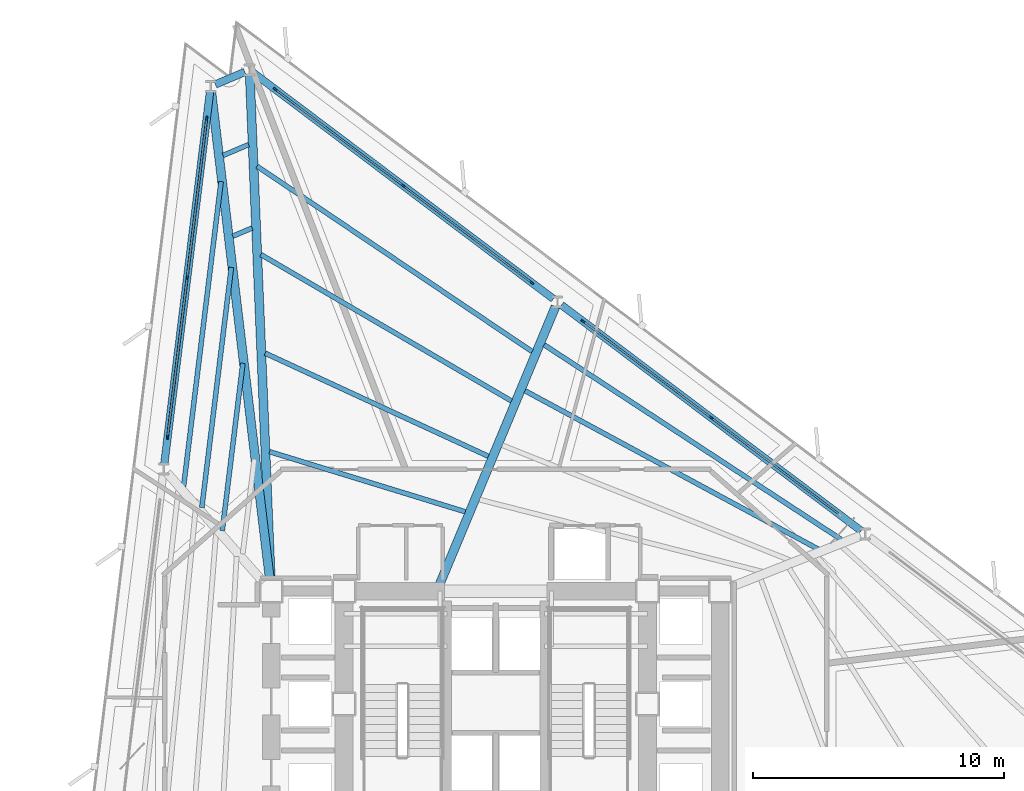
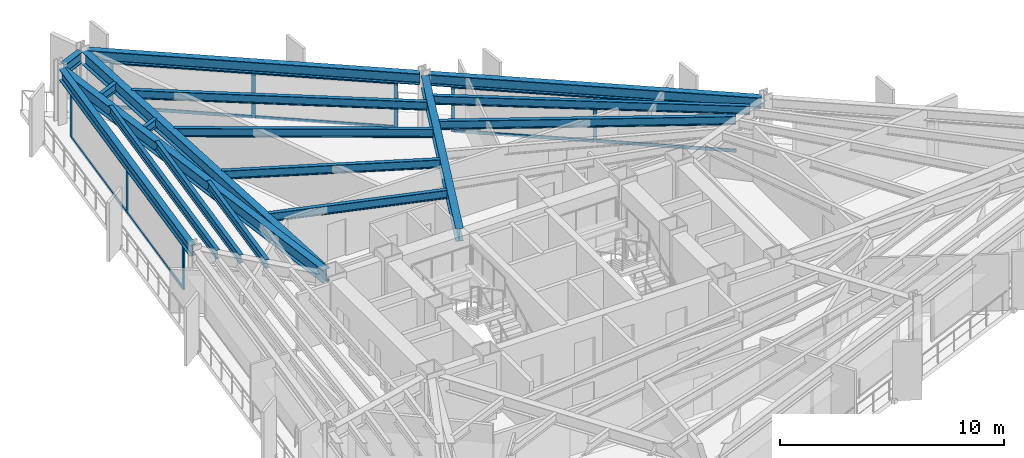
# One storey, part 5 of 13: 20 members, 18 beams, 3 elements without a shape of their own.
"""IFC4 building model written with IfcOpenShell, lengths in metres."""

from ifc_helpers import new_model, si_unit, direction, frame, origin, origin_2d, place, context, subcontext, project, spatial, rectangle, i_section, extrude, material, layer, layer_set, material_profile, profile_set, type_object, element, aggregate, save


model = new_model("IFC4")

# Units and contexts
model_context = context("Model", 3, precision=1e-05, world=origin(), true_north=direction((0.0, 1.0)))
body_context = subcontext(model_context, "Body", "Model", "MODEL_VIEW")
ifc_project = project(units=[si_unit("LENGTHUNIT", "METRE"), si_unit("AREAUNIT", "SQUARE_METRE"), si_unit("VOLUMEUNIT", "CUBIC_METRE"), si_unit("PLANEANGLEUNIT", "RADIAN"), si_unit("MASSUNIT", "GRAM", prefix="KILO")], contexts=[model_context])

# Site, building, storey
site_placement = place(None, origin())
site = spatial("IfcSite", under=ifc_project, at=site_placement, CompositionType="ELEMENT")
building_placement = place(site_placement, origin())
building = spatial("IfcBuilding", under=site, at=building_placement, Name="Rocaltana Carrier Exchange", CompositionType="ELEMENT")
storey_placement = place(building_placement, frame((0.0, 0.0, 59.679931640625)))
storey = spatial("IfcBuildingStorey", under=building, at=storey_placement, Name="L18", CompositionType="ELEMENT", Elevation=59.679931640625)

# Curtain wall, members
ifc_material_1 = material(Name="Aluminium 6063-T6", Category="aluminium")
ifc_layer = layer(ifc_material_1, 0.1650390625)
ifc_layer_set = layer_set([ifc_layer], Name="Aluminium 6063-T6")
curtain_wall_type = type_object("IfcCurtainWallType", Name="Lower-Mid Stepped Curtain Wall CW-02", PredefinedType="NOTDEFINED", material=ifc_layer_set)
curtain_wall_1_placement = place(storey_placement, origin())
curtain_wall_1 = element("IfcCurtainWall", 1, at=curtain_wall_1_placement, inside=storey, type_object=curtain_wall_type, Name="L18 CW-02 Run CW-L18-F1S2", PredefinedType="NOTDEFINED")
ifc_material_2 = material(Name="Aluminium 6063-T6", Category="aluminium")
ifc_material_profile_1 = material_profile(ifc_material_2, rectangle(XDim=0.06494140625, YDim=0.1650390625, at=origin_2d()), Name="AL-65X165")
ifc_profile_set_1 = profile_set([ifc_material_profile_1], Name="Aluminium 6063-T6")
member_type_1 = type_object("IfcMemberType", Name="CW-02 Mullion AL-65X165", PredefinedType="MULLION", material=ifc_profile_set_1)
member_1_placement = place(storey_placement, frame((8.59423828125, 11.405029296875, 0.0), z_axis=(0.0, 0.0, 1.0), x_axis=(-0.601815253533, -0.798635336443, 0.0)))
member_1 = element("IfcMember", 2, at=member_1_placement, type_object=member_type_1, Name="CW-02 mullion 2", PredefinedType="MULLION", context=body_context, shape_type="SweptSolid", body=[
    extrude(rectangle(XDim=0.06494140625, YDim=0.1650390625, at=origin_2d()), origin(), (0.0, 0.0, 1.0), 2.47802734375),
])
member_2_placement = place(storey_placement, frame((3.482421875, 15.257080078125, 0.0), z_axis=(0.0, 0.0, 1.0), x_axis=(-0.601815253533, -0.798635336443, 0.0)))
member_2 = element("IfcMember", 3, at=member_2_placement, type_object=member_type_1, Name="CW-02 mullion 3", PredefinedType="MULLION", context=body_context, shape_type="SweptSolid", body=[
    extrude(rectangle(XDim=0.06494140625, YDim=0.1650390625, at=origin_2d()), origin(), (0.0, 0.0, 1.0), 2.47802734375),
])

curtain_wall_2_placement = place(storey_placement, origin())
curtain_wall_2 = element("IfcCurtainWall", 4, at=curtain_wall_2_placement, inside=storey, type_object=curtain_wall_type, Name="L18 CW-02 Run CW-L18-F1S3", PredefinedType="NOTDEFINED")
member_3_placement = place(storey_placement, frame((1.433837890625, 16.80078125, 0.0), z_axis=(0.0, 0.0, 1.0), x_axis=(-0.601811518049, -0.79863815132, 0.0)))
member_3 = element("IfcMember", 5, at=member_3_placement, type_object=member_type_1, Name="CW-02 mullion 1", PredefinedType="MULLION", context=body_context, shape_type="SweptSolid", body=[
    extrude(rectangle(XDim=0.06494140625, YDim=0.1650390625, at=origin_2d()), origin(), (0.0, 0.0, 1.0), 2.47802734375),
])
member_4_placement = place(storey_placement, frame((-3.677978515625, 20.65283203125, 0.0), z_axis=(0.0, 0.0, 1.0), x_axis=(-0.601811518049, -0.79863815132, 0.0)))
member_4 = element("IfcMember", 6, at=member_4_placement, type_object=member_type_1, Name="CW-02 mullion 2", PredefinedType="MULLION", context=body_context, shape_type="SweptSolid", body=[
    extrude(rectangle(XDim=0.06494140625, YDim=0.1650390625, at=origin_2d()), origin(), (0.0, 0.0, 1.0), 2.47802734375),
])
member_5_placement = place(storey_placement, frame((-8.7900390625, 24.505126953125, 0.0), z_axis=(0.0, 0.0, 1.0), x_axis=(-0.601811518049, -0.79863815132, 0.0)))
member_5 = element("IfcMember", 7, at=member_5_placement, type_object=member_type_1, Name="CW-02 mullion 3", PredefinedType="MULLION", context=body_context, shape_type="SweptSolid", body=[
    extrude(rectangle(XDim=0.06494140625, YDim=0.1650390625, at=origin_2d()), origin(), (0.0, 0.0, 1.0), 2.47802734375),
])

curtain_wall_3_placement = place(storey_placement, origin())
curtain_wall_3 = element("IfcCurtainWall", 8, at=curtain_wall_3_placement, inside=storey, type_object=curtain_wall_type, Name="L18 CW-02 Run CW-L18-F2S1", PredefinedType="NOTDEFINED")
member_6_placement = place(storey_placement, frame((-11.521484375, 23.345703125, 0.0), z_axis=(0.0, 0.0, 1.0), x_axis=(0.992545748051, -0.121872630343, 0.0)))
member_6 = element("IfcMember", 9, at=member_6_placement, type_object=member_type_1, Name="CW-02 mullion 1", PredefinedType="MULLION", context=body_context, shape_type="SweptSolid", body=[
    extrude(rectangle(XDim=0.06494140625, YDim=0.1650390625, at=origin_2d()), origin(), (0.0, 0.0, 1.0), 2.47802734375),
])
member_7_placement = place(storey_placement, frame((-12.301513671875, 16.992431640625, 0.0), z_axis=(0.0, 0.0, 1.0), x_axis=(0.992545748051, -0.121872630343, 0.0)))
member_7 = element("IfcMember", 10, at=member_7_placement, type_object=member_type_1, Name="CW-02 mullion 2", PredefinedType="MULLION", context=body_context, shape_type="SweptSolid", body=[
    extrude(rectangle(XDim=0.06494140625, YDim=0.1650390625, at=origin_2d()), origin(), (0.0, 0.0, 1.0), 2.47802734375),
])
member_8_placement = place(storey_placement, frame((-13.08154296875, 10.639404296875, 0.0), z_axis=(0.0, 0.0, 1.0), x_axis=(0.992545748051, -0.121872630343, 0.0)))
member_8 = element("IfcMember", 11, at=member_8_placement, type_object=member_type_1, Name="CW-02 mullion 3", PredefinedType="MULLION", context=body_context, shape_type="SweptSolid", body=[
    extrude(rectangle(XDim=0.06494140625, YDim=0.1650390625, at=origin_2d()), origin(), (0.0, 0.0, 1.0), 2.47802734375),
])

# Member
ifc_material_3 = material(Name="Aluminium 6063-T6", Category="aluminium")
ifc_material_profile_2 = material_profile(ifc_material_3, rectangle(XDim=0.06494140625, YDim=0.1650390625, at=origin_2d()), Name="AL-65X165")
ifc_profile_set_2 = profile_set([ifc_material_profile_2], Name="Aluminium 6063-T6")
member_type_2 = type_object("IfcMemberType", Name="CW-02 Transom AL-65X165", PredefinedType="USERDEFINED", material=ifc_profile_set_2)
member_9_placement = place(storey_placement, frame((13.68017578125, 7.572509765625, 0.032470703125), z_axis=(-0.798624539829, 0.601829580847, 0.0), x_axis=(-0.601829580847, -0.798624539829, 0.0)))
member_9 = element("IfcMember", 12, at=member_9_placement, type_object=member_type_2, Name="CW-02 transom 1.1", ObjectType="TRANSOM", PredefinedType="USERDEFINED", context=body_context, shape_type="SweptSolid", body=[
    extrude(rectangle(XDim=0.06494140625, YDim=0.1650390625, at=origin_2d()), origin(), (0.0, 0.0, 1.0), 6.335693359375),
])

member_10_placement = place(storey_placement, frame((13.68017578125, 7.572509765625, 2.445556640625), z_axis=(-0.798624539829, 0.601829580847, 0.0), x_axis=(-0.601829580847, -0.798624539829, 0.0)))
member_10 = element("IfcMember", 13, at=member_10_placement, type_object=member_type_2, Name="CW-02 transom 1.2", ObjectType="TRANSOM", PredefinedType="USERDEFINED", context=body_context, shape_type="SweptSolid", body=[
    extrude(rectangle(XDim=0.06494140625, YDim=0.1650390625, at=origin_2d()), origin(), (0.0, 0.0, 1.0), 6.335693359375),
])

member_11_placement = place(storey_placement, frame((8.568359375, 11.424560546875, 0.032470703125), z_axis=(-0.798638496284, 0.601811060261, 0.0), x_axis=(-0.601811060261, -0.798638496284, 0.0)))
member_11 = element("IfcMember", 14, at=member_11_placement, type_object=member_type_2, Name="CW-02 transom 2.1", ObjectType="TRANSOM", PredefinedType="USERDEFINED", context=body_context, shape_type="SweptSolid", body=[
    extrude(rectangle(XDim=0.06494140625, YDim=0.1650390625, at=origin_2d()), origin(), (0.0, 0.0, 1.0), 6.3359375),
])

member_12_placement = place(storey_placement, frame((8.568359375, 11.424560546875, 2.445556640625), z_axis=(-0.798638496284, 0.601811060261, 0.0), x_axis=(-0.601811060261, -0.798638496284, 0.0)))
member_12 = element("IfcMember", 15, at=member_12_placement, type_object=member_type_2, Name="CW-02 transom 2.2", ObjectType="TRANSOM", PredefinedType="USERDEFINED", context=body_context, shape_type="SweptSolid", body=[
    extrude(rectangle(XDim=0.06494140625, YDim=0.1650390625, at=origin_2d()), origin(), (0.0, 0.0, 1.0), 6.3359375),
])

aggregate(curtain_wall_1, [member_1, member_2, member_9, member_10, member_11, member_12])

member_13_placement = place(storey_placement, frame((1.407958984375, 16.8203125, 0.032470703125), z_axis=(-0.798638496284, 0.601811060261, 0.0), x_axis=(-0.601811060261, -0.798638496284, 0.0)))
member_13 = element("IfcMember", 16, at=member_13_placement, type_object=member_type_2, Name="CW-02 transom 1.1", ObjectType="TRANSOM", PredefinedType="USERDEFINED", context=body_context, shape_type="SweptSolid", body=[
    extrude(rectangle(XDim=0.06494140625, YDim=0.1650390625, at=origin_2d()), origin(), (0.0, 0.0, 1.0), 6.3359375),
])

member_14_placement = place(storey_placement, frame((1.407958984375, 16.8203125, 2.445556640625), z_axis=(-0.798638496284, 0.601811060261, 0.0), x_axis=(-0.601811060261, -0.798638496284, 0.0)))
member_14 = element("IfcMember", 17, at=member_14_placement, type_object=member_type_2, Name="CW-02 transom 1.2", ObjectType="TRANSOM", PredefinedType="USERDEFINED", context=body_context, shape_type="SweptSolid", body=[
    extrude(rectangle(XDim=0.06494140625, YDim=0.1650390625, at=origin_2d()), origin(), (0.0, 0.0, 1.0), 6.3359375),
])

member_15_placement = place(storey_placement, frame((-3.703857421875, 20.672607421875, 0.032470703125), z_axis=(-0.798638496284, 0.601811060261, 0.0), x_axis=(-0.601811060261, -0.798638496284, 0.0)))
member_15 = element("IfcMember", 18, at=member_15_placement, type_object=member_type_2, Name="CW-02 transom 2.1", ObjectType="TRANSOM", PredefinedType="USERDEFINED", context=body_context, shape_type="SweptSolid", body=[
    extrude(rectangle(XDim=0.06494140625, YDim=0.1650390625, at=origin_2d()), origin(), (0.0, 0.0, 1.0), 6.3359375),
])

member_16_placement = place(storey_placement, frame((-3.703857421875, 20.672607421875, 2.445556640625), z_axis=(-0.798638496284, 0.601811060261, 0.0), x_axis=(-0.601811060261, -0.798638496284, 0.0)))
member_16 = element("IfcMember", 19, at=member_16_placement, type_object=member_type_2, Name="CW-02 transom 2.2", ObjectType="TRANSOM", PredefinedType="USERDEFINED", context=body_context, shape_type="SweptSolid", body=[
    extrude(rectangle(XDim=0.06494140625, YDim=0.1650390625, at=origin_2d()), origin(), (0.0, 0.0, 1.0), 6.3359375),
])

aggregate(curtain_wall_2, [member_3, member_4, member_5, member_13, member_14, member_15, member_16])

member_17_placement = place(storey_placement, frame((-11.525390625, 23.3134765625, 0.032470703125), z_axis=(-0.12187665048, -0.992545254418, 0.0), x_axis=(0.992545254418, -0.12187665048, 0.0)))
member_17 = element("IfcMember", 20, at=member_17_placement, type_object=member_type_2, Name="CW-02 transom 1.1", ObjectType="TRANSOM", PredefinedType="USERDEFINED", context=body_context, shape_type="SweptSolid", body=[
    extrude(rectangle(XDim=0.06494140625, YDim=0.1650390625, at=origin_2d()), origin(), (0.0, 0.0, 1.0), 6.3359375),
])

member_18_placement = place(storey_placement, frame((-11.525390625, 23.3134765625, 2.445556640625), z_axis=(-0.12187665048, -0.992545254418, 0.0), x_axis=(0.992545254418, -0.12187665048, 0.0)))
member_18 = element("IfcMember", 21, at=member_18_placement, type_object=member_type_2, Name="CW-02 transom 1.2", ObjectType="TRANSOM", PredefinedType="USERDEFINED", context=body_context, shape_type="SweptSolid", body=[
    extrude(rectangle(XDim=0.06494140625, YDim=0.1650390625, at=origin_2d()), origin(), (0.0, 0.0, 1.0), 6.3359375),
])

member_19_placement = place(storey_placement, frame((-12.305419921875, 16.960205078125, 0.032470703125), z_axis=(-0.121881311797, -0.992544682034, 0.0), x_axis=(0.992544682034, -0.121881311797, 0.0)))
member_19 = element("IfcMember", 22, at=member_19_placement, type_object=member_type_2, Name="CW-02 transom 2.1", ObjectType="TRANSOM", PredefinedType="USERDEFINED", context=body_context, shape_type="SweptSolid", body=[
    extrude(rectangle(XDim=0.06494140625, YDim=0.1650390625, at=origin_2d()), origin(), (0.0, 0.0, 1.0), 6.335693359375),
])

member_20_placement = place(storey_placement, frame((-12.305419921875, 16.960205078125, 2.445556640625), z_axis=(-0.121881311797, -0.992544682034, 0.0), x_axis=(0.992544682034, -0.121881311797, 0.0)))
member_20 = element("IfcMember", 23, at=member_20_placement, type_object=member_type_2, Name="CW-02 transom 2.2", ObjectType="TRANSOM", PredefinedType="USERDEFINED", context=body_context, shape_type="SweptSolid", body=[
    extrude(rectangle(XDim=0.06494140625, YDim=0.1650390625, at=origin_2d()), origin(), (0.0, 0.0, 1.0), 6.335693359375),
])

aggregate(curtain_wall_3, [member_6, member_7, member_8, member_17, member_18, member_19, member_20])

# Beams
ifc_material_4 = material(Name="Steel S355", Category="steel")
ifc_material_profile_3 = material_profile(ifc_material_4, i_section(OverallWidth=0.193115234375, OverallDepth=0.466064453125, WebThickness=0.011474609375, FlangeThickness=0.01904296875, FilletRadius=0.013916015625, at=origin_2d()), Name="W18X65")
ifc_profile_set_3 = profile_set([ifc_material_profile_3], Name="Steel S355")
beam_type_1 = type_object("IfcBeamType", Name="Floor Joist W18X65", PredefinedType="JOIST", material=ifc_profile_set_3)
beam_1_placement = place(storey_placement, frame((12.845458984375, 6.17822265625, 2.864990234375), z_axis=(-0.879782188298, 0.475377009493, 0.0), x_axis=(-0.475377009493, -0.879782188298, 0.0)))
element("IfcBeam", 24, at=beam_1_placement, inside=storey, type_object=beam_type_1, Name="FJ-L18-02-3", PredefinedType="JOIST", context=body_context, shape_type="SweptSolid", body=[
    extrude(i_section(OverallWidth=0.193115234375, OverallDepth=0.466064453125, WebThickness=0.011474609375, FlangeThickness=0.01904296875, FilletRadius=0.013916015625, at=origin_2d()), origin(), (0.0, 0.0, 1.0), 13.27490234375),
])
beam_2_placement = place(storey_placement, frame((13.77783203125, 6.5556640625, 2.864990234375), z_axis=(-0.836404193047, 0.548113150593, 0.0), x_axis=(-0.548113150593, -0.836404193047, 0.0)))
element("IfcBeam", 25, at=beam_2_placement, inside=storey, type_object=beam_type_1, Name="FJ-L18-02-4", PredefinedType="JOIST", context=body_context, shape_type="SweptSolid", body=[
    extrude(i_section(OverallWidth=0.193115234375, OverallDepth=0.466064453125, WebThickness=0.011474609375, FlangeThickness=0.01904296875, FilletRadius=0.013916015625, at=origin_2d()), origin(), (0.0, 0.0, 1.0), 14.1669921875),
])
beam_3_placement = place(storey_placement, frame((-1.2158203125, 7.6630859375, 2.864990234375), z_axis=(-0.955945046832, 0.293545682028, 0.0), x_axis=(-0.293545682028, -0.955945046832, 0.0)))
element("IfcBeam", 26, at=beam_3_placement, inside=storey, type_object=beam_type_1, Name="FJ-L18-03-1", PredefinedType="JOIST", context=body_context, shape_type="SweptSolid", body=[
    extrude(i_section(OverallWidth=0.193115234375, OverallDepth=0.466064453125, WebThickness=0.011474609375, FlangeThickness=0.01904296875, FilletRadius=0.013916015625, at=origin_2d()), origin(), (0.0, 0.0, 1.0), 8.1630859375),
])
beam_4_placement = place(storey_placement, frame((-0.2939453125, 9.875244140625, 2.864990234375), z_axis=(-0.907819359588, 0.419361431653, 0.0), x_axis=(-0.419361431653, -0.907819359588, 0.0)))
element("IfcBeam", 27, at=beam_4_placement, inside=storey, type_object=beam_type_1, Name="FJ-L18-03-2", PredefinedType="JOIST", context=body_context, shape_type="SweptSolid", body=[
    extrude(i_section(OverallWidth=0.193115234375, OverallDepth=0.466064453125, WebThickness=0.011474609375, FlangeThickness=0.01904296875, FilletRadius=0.013916015625, at=origin_2d()), origin(), (0.0, 0.0, 1.0), 9.801513671875),
])
beam_5_placement = place(storey_placement, frame((0.627197265625, 12.080322265625, 2.864990234375), z_axis=(-0.863399873856, 0.504520225387, 0.0), x_axis=(-0.504520225387, -0.863399873856, 0.0)))
element("IfcBeam", 28, at=beam_5_placement, inside=storey, type_object=beam_type_1, Name="FJ-L18-03-3", PredefinedType="JOIST", context=body_context, shape_type="SweptSolid", body=[
    extrude(i_section(OverallWidth=0.193115234375, OverallDepth=0.466064453125, WebThickness=0.011474609375, FlangeThickness=0.01904296875, FilletRadius=0.013916015625, at=origin_2d()), origin(), (0.0, 0.0, 1.0), 11.57177734375),
])
beam_6_placement = place(storey_placement, frame((1.450439453125, 14.049560546875, 2.864990234375), z_axis=(-0.829233693301, 0.558902032466, 0.0), x_axis=(-0.558902032466, -0.829233693301, 0.0)))
element("IfcBeam", 29, at=beam_6_placement, inside=storey, type_object=beam_type_1, Name="FJ-L18-03-4", PredefinedType="JOIST", context=body_context, shape_type="SweptSolid", body=[
    extrude(i_section(OverallWidth=0.193115234375, OverallDepth=0.466064453125, WebThickness=0.011474609375, FlangeThickness=0.01904296875, FilletRadius=0.013916015625, at=origin_2d()), origin(), (0.0, 0.0, 1.0), 13.22509765625),
])
beam_7_placement = place(storey_placement, frame((-9.712890625, 18.976806640625, 2.864990234375), z_axis=(-0.92048318346, -0.390782175857, 0.0), x_axis=(0.390782175857, -0.92048318346, 0.0)))
element("IfcBeam", 30, at=beam_7_placement, inside=storey, type_object=beam_type_1, Name="FJ-L18-04-3", PredefinedType="JOIST", context=body_context, shape_type="SweptSolid", body=[
    extrude(i_section(OverallWidth=0.193115234375, OverallDepth=0.466064453125, WebThickness=0.011474609375, FlangeThickness=0.01904296875, FilletRadius=0.013916015625, at=origin_2d()), origin(), (0.0, 0.0, 1.0), 0.83642578125),
])
beam_8_placement = place(storey_placement, frame((-9.85107421875, 22.301025390625, 2.864990234375), z_axis=(-0.920509615817, -0.390719908872, 0.0), x_axis=(0.390719908872, -0.920509615817, 0.0)))
element("IfcBeam", 31, at=beam_8_placement, inside=storey, type_object=beam_type_1, Name="FJ-L18-04-4", PredefinedType="JOIST", context=body_context, shape_type="SweptSolid", body=[
    extrude(i_section(OverallWidth=0.193115234375, OverallDepth=0.466064453125, WebThickness=0.011474609375, FlangeThickness=0.01904296875, FilletRadius=0.013916015625, at=origin_2d()), origin(), (0.0, 0.0, 1.0), 1.10595703125),
])
beam_9_placement = place(storey_placement, frame((-10.081787109375, 13.584228515625, 2.864990234375), z_axis=(-0.121894438401, -0.992543070041, 0.0), x_axis=(0.992543070041, -0.121894438401, 0.0)))
element("IfcBeam", 32, at=beam_9_placement, inside=storey, type_object=beam_type_1, Name="FJ-L18-05-2", PredefinedType="JOIST", context=body_context, shape_type="SweptSolid", body=[
    extrude(i_section(OverallWidth=0.193115234375, OverallDepth=0.466064453125, WebThickness=0.011474609375, FlangeThickness=0.01904296875, FilletRadius=0.013916015625, at=origin_2d()), origin(), (0.0, 0.0, 1.0), 6.7255859375),
])
beam_10_placement = place(storey_placement, frame((-10.540771484375, 17.406982421875, 2.864990234375), z_axis=(-0.121875552726, -0.992545389213, 0.0), x_axis=(0.992545389213, -0.121875552726, 0.0)))
element("IfcBeam", 33, at=beam_10_placement, inside=storey, type_object=beam_type_1, Name="FJ-L18-05-3", PredefinedType="JOIST", context=body_context, shape_type="SweptSolid", body=[
    extrude(i_section(OverallWidth=0.193115234375, OverallDepth=0.466064453125, WebThickness=0.011474609375, FlangeThickness=0.01904296875, FilletRadius=0.013916015625, at=origin_2d()), origin(), (0.0, 0.0, 1.0), 9.6455078125),
])
beam_11_placement = place(storey_placement, frame((-10.951416015625, 20.826904296875, 2.864990234375), z_axis=(-0.121874778131, -0.992545484326, 0.0), x_axis=(0.992545484326, -0.121874778131, 0.0)))
element("IfcBeam", 34, at=beam_11_placement, inside=storey, type_object=beam_type_1, Name="FJ-L18-05-4", PredefinedType="JOIST", context=body_context, shape_type="SweptSolid", body=[
    extrude(i_section(OverallWidth=0.193115234375, OverallDepth=0.466064453125, WebThickness=0.011474609375, FlangeThickness=0.01904296875, FilletRadius=0.013916015625, at=origin_2d()), origin(), (0.0, 0.0, 1.0), 12.257568359375),
])
ifc_material_5 = material(Name="Steel S355", Category="steel")
ifc_material_profile_4 = material_profile(ifc_material_5, i_section(OverallWidth=0.35498046875, OverallDepth=0.695068359375, WebThickness=0.015380859375, FlangeThickness=0.02490234375, FilletRadius=0.01806640625, at=origin_2d()), Name="W27X146")
ifc_profile_set_4 = profile_set([ifc_material_profile_4], Name="Steel S355")
beam_type_2 = type_object("IfcBeamType", Name="Radial Girder W27X146", PredefinedType="BEAM", material=ifc_profile_set_4)
beam_12_placement = place(storey_placement, frame((-2.2568359375, 4.723388671875, 2.75048828125), z_axis=(0.384913271057, 0.922952747308, 0.0), x_axis=(-0.922952747308, 0.384913271057, 0.0)))
element("IfcBeam", 35, at=beam_12_placement, inside=storey, type_object=beam_type_2, Name="RG-L18-03", PredefinedType="BEAM", context=body_context, shape_type="SweptSolid", body=[
    extrude(i_section(OverallWidth=0.35498046875, OverallDepth=0.695068359375, WebThickness=0.015380859375, FlangeThickness=0.02490234375, FilletRadius=0.01806640625, at=origin_2d()), origin(), (0.0, 0.0, 1.0), 12.04541015625),
])
beam_13_placement = place(storey_placement, frame((-8.969482421875, 4.966552734375, 2.75048828125), z_axis=(-0.041551823775, 0.999136350025, 0.0), x_axis=(-0.999136350025, -0.041551823775, 0.0)))
element("IfcBeam", 36, at=beam_13_placement, inside=storey, type_object=beam_type_2, Name="RG-L18-04", PredefinedType="BEAM", context=body_context, shape_type="SweptSolid", body=[
    extrude(i_section(OverallWidth=0.35498046875, OverallDepth=0.695068359375, WebThickness=0.015380859375, FlangeThickness=0.02490234375, FilletRadius=0.01806640625, at=origin_2d()), origin(), (0.0, 0.0, 1.0), 20.123779296875),
])
beam_14_placement = place(storey_placement, frame((-9.005615234375, 4.963623046875, 2.75048828125), z_axis=(-0.119191409492, 0.992871294732, 0.0), x_axis=(-0.992871294732, -0.119191409492, 0.0)))
element("IfcBeam", 37, at=beam_14_placement, inside=storey, type_object=beam_type_2, Name="RG-L18-05", PredefinedType="BEAM", context=body_context, shape_type="SweptSolid", body=[
    extrude(i_section(OverallWidth=0.35498046875, OverallDepth=0.695068359375, WebThickness=0.015380859375, FlangeThickness=0.02490234375, FilletRadius=0.01806640625, at=origin_2d()), origin(), (0.0, 0.0, 1.0), 19.592041015625),
])
ifc_material_6 = material(Name="Steel S355", Category="steel")
ifc_material_profile_5 = material_profile(ifc_material_6, i_section(OverallWidth=0.300048828125, OverallDepth=0.60009765625, WebThickness=0.015380859375, FlangeThickness=0.030029296875, FilletRadius=0.027099609375, at=origin_2d()), Name="HEB600")
ifc_profile_set_5 = profile_set([ifc_material_profile_5], Name="Steel S355")
beam_type_3 = type_object("IfcBeamType", Name="Spandrel Edge Beam HEB600", PredefinedType="SPANDREL", material=ifc_profile_set_5)
for number, where, z_axis, x_axis, name in (
    (38, (14.567626953125, 6.90380859375, 2.798095703125), (-0.798632845578, 0.601818559006, 0.0), (-0.601818559006, -0.798632845578, 0.0), "SP-L18-02"),
    (39, (2.29541015625, 16.15185546875, 2.798095703125), (-0.798646600906, 0.601800304803, 0.0), (-0.601800304803, -0.798646600906, 0.0), "SP-L18-03"),
):
    element("IfcBeam", number, at=place(storey_placement, frame(where, z_axis=z_axis, x_axis=x_axis)), inside=storey, type_object=beam_type_3, Name=name, PredefinedType="SPANDREL", context=body_context, shape_type="SweptSolid", body=[
        extrude(i_section(OverallWidth=0.300048828125, OverallDepth=0.60009765625, WebThickness=0.015380859375, FlangeThickness=0.030029296875, FilletRadius=0.027099609375, at=origin_2d()), origin(), (0.0, 0.0, 1.0), 14.958740234375),
    ])
beam_15_placement = place(storey_placement, frame((-10.001953125, 25.197265625, 2.798095703125), z_axis=(-0.920494280751, -0.390756035276, 0.0), x_axis=(0.390756035276, -0.920494280751, 0.0)))
element("IfcBeam", 40, at=beam_15_placement, inside=storey, type_object=beam_type_3, Name="SP-L18-04", PredefinedType="SPANDREL", context=body_context, shape_type="SweptSolid", body=[
    extrude(i_section(OverallWidth=0.300048828125, OverallDepth=0.60009765625, WebThickness=0.015380859375, FlangeThickness=0.030029296875, FilletRadius=0.027099609375, at=origin_2d()), origin(), (0.0, 0.0, 1.0), 1.277099609375),
])
beam_16_placement = place(storey_placement, frame((-11.39013671875, 24.416015625, 2.798095703125), z_axis=(-0.12185293856, -0.992548165765, 0.0), x_axis=(0.992548165765, -0.12185293856, 0.0)))
element("IfcBeam", 41, at=beam_16_placement, inside=storey, type_object=beam_type_3, Name="SP-L18-05", PredefinedType="SPANDREL", context=body_context, shape_type="SweptSolid", body=[
    extrude(i_section(OverallWidth=0.300048828125, OverallDepth=0.60009765625, WebThickness=0.015380859375, FlangeThickness=0.030029296875, FilletRadius=0.027099609375, at=origin_2d()), origin(), (0.0, 0.0, 1.0), 14.958740234375),
])

save(model, "model.ifc")
